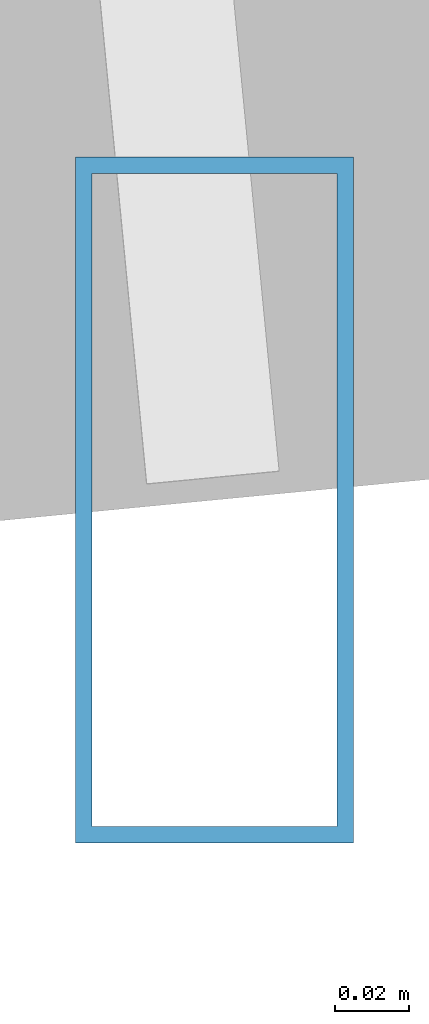
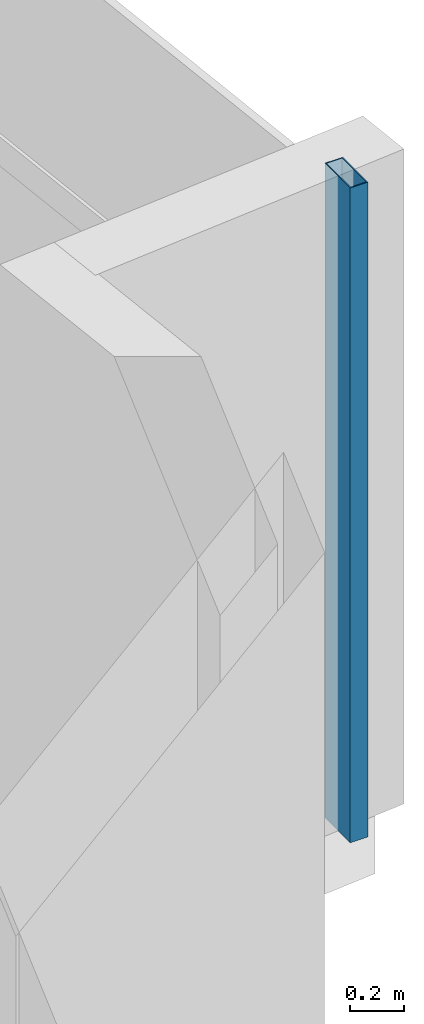
# One storey, part 14 of 27: 1 member, 1 element without a shape of its own.
"""IFC4 building model written with IfcOpenShell, lengths in metres."""

from ifc_helpers import new_model, si_unit, direction, frame, origin, origin_2d, place, context, subcontext, project, spatial, hollow_rectangle, extrude, source, transform, mapped, material, material_profile, profile_set, type_object, type_shapes, element, aggregate, save


model = new_model("IFC4")

# Units and contexts
model_context = context("Model", 3, precision=1e-05, world=origin(), true_north=direction((0.0, 1.0)))
body_context = subcontext(model_context, "Body", "Model", "MODEL_VIEW")
ifc_project = project(units=[si_unit("LENGTHUNIT", "METRE"), si_unit("AREAUNIT", "SQUARE_METRE"), si_unit("VOLUMEUNIT", "CUBIC_METRE"), si_unit("PLANEANGLEUNIT", "RADIAN"), si_unit("MASSUNIT", "GRAM", prefix="KILO")], contexts=[model_context])

# Site, building, storey
site_placement = place(None, origin())
site = spatial("IfcSite", under=ifc_project, at=site_placement, CompositionType="ELEMENT")
building_placement = place(site_placement, origin())
building = spatial("IfcBuilding", under=site, at=building_placement, Name="Astriad Promenade Condominiums", CompositionType="ELEMENT")
storey_placement = place(building_placement, frame((0.0, 0.0, 97.0)))
storey = spatial("IfcBuildingStorey", under=building, at=storey_placement, Name="L27", CompositionType="ELEMENT", Elevation=97.0)

# Curtain wall, member
ifc_material_1 = material(Name="Anodised aluminium Black Dark Glass Unitised", Category="aluminium")
curtain_wall_type = type_object("IfcCurtainWallType", Name="CW-B2-DARK", PredefinedType="USERDEFINED", material=ifc_material_1)
curtain_wall_placement = place(storey_placement, origin())
curtain_wall = element("IfcCurtainWall", 1, at=curtain_wall_placement, inside=storey, type_object=curtain_wall_type, Name="CW-L27-E", ObjectType="UNITISED_CURTAIN_WALL", PredefinedType="USERDEFINED")
ifc_material_2 = material(Name="Anodised aluminium 6063-T6 Black", Category="aluminium")
ifc_material_profile = material_profile(ifc_material_2, hollow_rectangle(XDim=0.074951171875, YDim=0.18505859375, WallThickness=0.00439453125, at=origin_2d()), Name="ALU-MUL-75X185")
ifc_profile_set = profile_set([ifc_material_profile], Name="Anodised aluminium 6063-T6 Black")
member_type = type_object("IfcMemberType", Name="MUL-ALU-MUL-75X185", PredefinedType="MULLION", material=ifc_profile_set)
shared_shape = source(origin(), body_context, "Body", "SweptSolid", [
    extrude(hollow_rectangle(XDim=0.074951171875, YDim=0.18505859375, WallThickness=0.00439453125, at=origin_2d()), origin(), (0.0, 0.0, 1.0), 2.93994140625),
])
type_shapes(member_type, [shared_shape])
member_placement = place(storey_placement, frame((69.4521484375, 11.67822265625, 0.0), z_axis=(0.0, 0.0, 1.0), x_axis=(1.0, 0.0, 0.0)))
member = element("IfcMember", 2, at=member_placement, type_object=member_type, Name="CW-L27-E-MUL-03", PredefinedType="MULLION", context=body_context, shape_type="MappedRepresentation", body=[
    mapped(shared_shape, transform((0.0, 0.0, 0.0), scale=1.0)),
])
aggregate(curtain_wall, [member])

save(model, "model.ifc")
